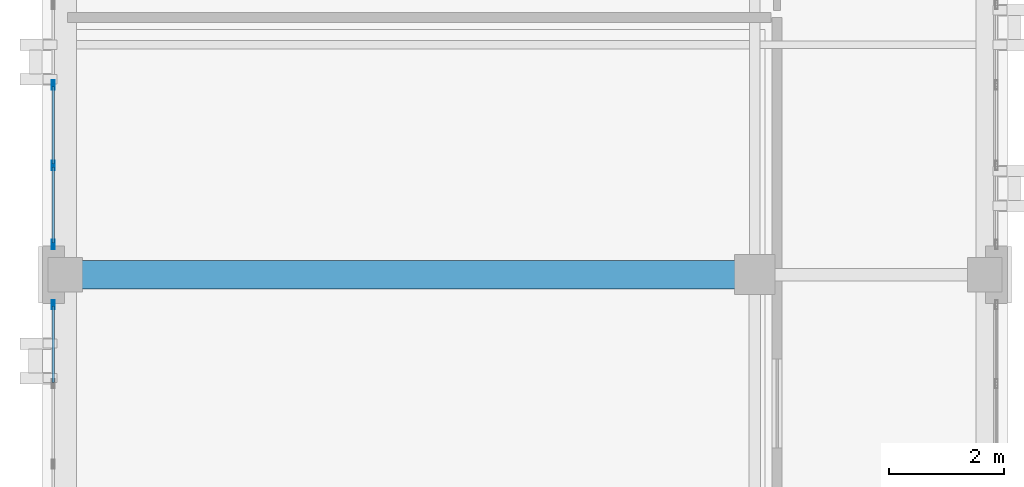
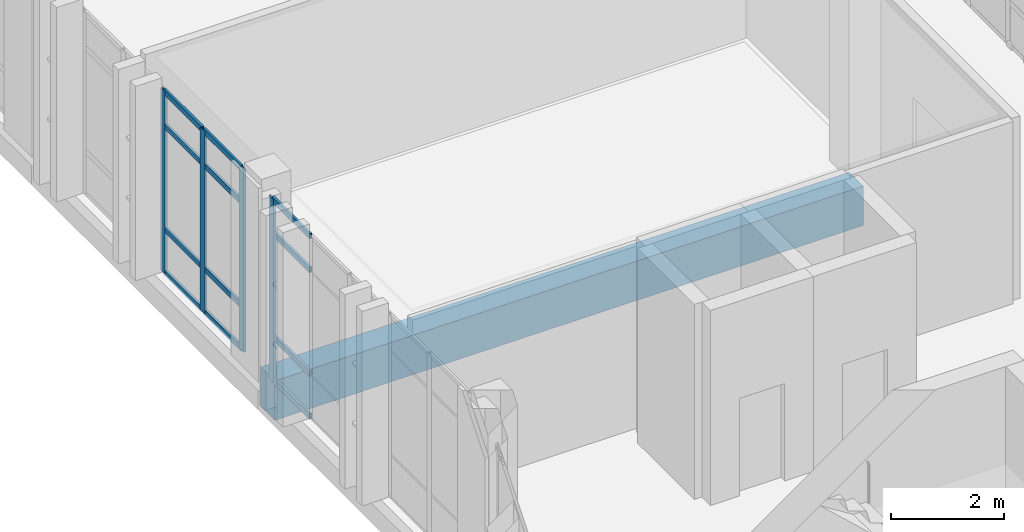
# One storey, part 9 of 90: 16 members, 1 beam, 2 elements without a shape of their own.
"""IFC4 building model written with IfcOpenShell, lengths in metres."""

from ifc_helpers import new_model, si_unit, direction, frame, origin, origin_2d, place, context, subcontext, project, spatial, rectangle, hollow_rectangle, extrude, material, layer, layer_set, material_profile, profile_set, type_object, element, aggregate, save


model = new_model("IFC4")

# Units and contexts
model_context = context("Model", 3, precision=1e-05, world=origin(), true_north=direction((0.0, 1.0)))
body_context = subcontext(model_context, "Body", "Model", "MODEL_VIEW")
ifc_project = project(units=[si_unit("LENGTHUNIT", "METRE"), si_unit("AREAUNIT", "SQUARE_METRE"), si_unit("VOLUMEUNIT", "CUBIC_METRE"), si_unit("PLANEANGLEUNIT", "RADIAN"), si_unit("MASSUNIT", "GRAM", prefix="KILO")], contexts=[model_context])

# Site, building, storey
site_placement = place(None, origin())
site = spatial("IfcSite", under=ifc_project, at=site_placement, CompositionType="ELEMENT")
building_placement = place(site_placement, origin())
building = spatial("IfcBuilding", under=site, at=building_placement, Name="Qalavern Law Courts", CompositionType="ELEMENT")
storey_placement = place(building_placement, frame((0.0, 0.0, 22.800048828125)))
storey = spatial("IfcBuildingStorey", under=building, at=storey_placement, Name="L05", CompositionType="ELEMENT", Elevation=22.800048828125)

# Curtain wall, members
ifc_material_1 = material(Name="Anodised aluminium and insulated glazing", Category="aluminium")
ifc_layer = layer(ifc_material_1, 0.159912109375)
ifc_layer_set = layer_set([ifc_layer], Name="Anodised aluminium and insulated glazing")
curtain_wall_type = type_object("IfcCurtainWallType", Name="ENV-CW-CHAMB", PredefinedType="USERDEFINED", material=ifc_layer_set)
curtain_wall_1_placement = place(storey_placement, origin())
curtain_wall_1 = element("IfcCurtainWall", 1, at=curtain_wall_1_placement, inside=storey, type_object=curtain_wall_type, Name="V3 unitised curtain wall L05 west 5", ObjectType="UNITISED CURTAIN WALL", PredefinedType="USERDEFINED")
ifc_material_2 = material(Name="Anodised aluminium", Category="aluminium")
ifc_material_profile_1 = material_profile(ifc_material_2, hollow_rectangle(XDim=0.048095703125, YDim=0.159912109375, WallThickness=0.00390625, at=origin_2d()), Name="ALU MULLION 48x160")
ifc_profile_set_1 = profile_set([ifc_material_profile_1], Name="Anodised aluminium")
member_type_1 = type_object("IfcMemberType", Name="ENV-CWM-48x160", PredefinedType="MULLION", material=ifc_profile_set_1)
member_1_placement = place(storey_placement, frame((2.1923828125, 60.699951171875, 0.0), z_axis=(0.0, 0.0, 1.0), x_axis=(1.0, 0.0, 0.0)))
member_1 = element("IfcMember", 2, at=member_1_placement, type_object=member_type_1, Name="CW-04 mullion 4", PredefinedType="MULLION", context=body_context, shape_type="SweptSolid", body=[
    extrude(hollow_rectangle(XDim=0.048095703125, YDim=0.159912109375, WallThickness=0.00390625, at=origin_2d()), origin(), (0.0, 0.0, 1.0), 3.929931640625),
])
member_2_placement = place(storey_placement, frame((2.1923828125, 59.300048828125, 0.0), z_axis=(0.0, 0.0, 1.0), x_axis=(1.0, 0.0, 0.0)))
member_2 = element("IfcMember", 3, at=member_2_placement, type_object=member_type_1, Name="CW-04 mullion 5", PredefinedType="MULLION", context=body_context, shape_type="SweptSolid", body=[
    extrude(hollow_rectangle(XDim=0.048095703125, YDim=0.159912109375, WallThickness=0.00390625, at=origin_2d()), origin(), (0.0, 0.0, 1.0), 3.929931640625),
])
member_3_placement = place(storey_placement, frame((2.1923828125, 57.924072265625, 0.0), z_axis=(0.0, 0.0, 1.0), x_axis=(1.0, 0.0, 0.0)))
member_3 = element("IfcMember", 4, at=member_3_placement, type_object=member_type_1, Name="CW-04 mullion 6", PredefinedType="MULLION", context=body_context, shape_type="SweptSolid", body=[
    extrude(hollow_rectangle(XDim=0.048095703125, YDim=0.159912109375, WallThickness=0.00390625, at=origin_2d()), origin(), (0.0, 0.0, 1.0), 3.929931640625),
])

# Curtain wall, member
curtain_wall_2_placement = place(storey_placement, origin())
curtain_wall_2 = element("IfcCurtainWall", 5, at=curtain_wall_2_placement, inside=storey, type_object=curtain_wall_type, Name="V3 unitised curtain wall L05 west 6", ObjectType="UNITISED CURTAIN WALL", PredefinedType="USERDEFINED")
member_4_placement = place(storey_placement, frame((2.1923828125, 56.8759765625, 0.0), z_axis=(0.0, 0.0, 1.0), x_axis=(1.0, 0.0, 0.0)))
member_4 = element("IfcMember", 6, at=member_4_placement, type_object=member_type_1, Name="CW-04 mullion 1", PredefinedType="MULLION", context=body_context, shape_type="SweptSolid", body=[
    extrude(hollow_rectangle(XDim=0.048095703125, YDim=0.159912109375, WallThickness=0.00390625, at=origin_2d()), origin(), (0.0, 0.0, 1.0), 3.929931640625),
])

# Member
ifc_material_profile_2 = material_profile(ifc_material_2, hollow_rectangle(XDim=0.048095703125, YDim=0.1201171875, WallThickness=0.00390625, at=origin_2d()), Name="ALU TRANSOM 48x120")
ifc_profile_set_2 = profile_set([ifc_material_profile_2], Name="Anodised aluminium")
member_type_2 = type_object("IfcMemberType", Name="ENV-CWT-48x120", PredefinedType="USERDEFINED", material=ifc_profile_set_2)
member_5_placement = place(storey_placement, frame((2.1923828125, 60.676025390625, 0.02392578125), z_axis=(0.0, -1.0, 0.0), x_axis=(1.0, 0.0, 0.0)))
member_5 = element("IfcMember", 7, at=member_5_placement, type_object=member_type_2, Name="CW-04 transom 4.1", ObjectType="TRANSOM", PredefinedType="USERDEFINED", context=body_context, shape_type="SweptSolid", body=[
    extrude(hollow_rectangle(XDim=0.048095703125, YDim=0.1201171875, WallThickness=0.00390625, at=origin_2d()), origin(), (0.0, 0.0, 1.0), 1.35205078125),
])

member_6_placement = place(storey_placement, frame((2.1923828125, 60.676025390625, 0.949951171875), z_axis=(0.0, -1.0, 0.0), x_axis=(1.0, 0.0, 0.0)))
member_6 = element("IfcMember", 8, at=member_6_placement, type_object=member_type_2, Name="CW-04 transom 4.2", ObjectType="TRANSOM", PredefinedType="USERDEFINED", context=body_context, shape_type="SweptSolid", body=[
    extrude(hollow_rectangle(XDim=0.048095703125, YDim=0.1201171875, WallThickness=0.00390625, at=origin_2d()), origin(), (0.0, 0.0, 1.0), 1.35205078125),
])

member_7_placement = place(storey_placement, frame((2.1923828125, 60.676025390625, 3.179931640625), z_axis=(0.0, -1.0, 0.0), x_axis=(1.0, 0.0, 0.0)))
member_7 = element("IfcMember", 9, at=member_7_placement, type_object=member_type_2, Name="CW-04 transom 4.3", ObjectType="TRANSOM", PredefinedType="USERDEFINED", context=body_context, shape_type="SweptSolid", body=[
    extrude(hollow_rectangle(XDim=0.048095703125, YDim=0.1201171875, WallThickness=0.00390625, at=origin_2d()), origin(), (0.0, 0.0, 1.0), 1.35205078125),
])

member_8_placement = place(storey_placement, frame((2.1923828125, 60.676025390625, 3.906005859375), z_axis=(0.0, -1.0, 0.0), x_axis=(1.0, 0.0, 0.0)))
member_8 = element("IfcMember", 10, at=member_8_placement, type_object=member_type_2, Name="CW-04 transom 4.4", ObjectType="TRANSOM", PredefinedType="USERDEFINED", context=body_context, shape_type="SweptSolid", body=[
    extrude(hollow_rectangle(XDim=0.048095703125, YDim=0.1201171875, WallThickness=0.00390625, at=origin_2d()), origin(), (0.0, 0.0, 1.0), 1.35205078125),
])

member_9_placement = place(storey_placement, frame((2.1923828125, 59.27587890625, 0.02392578125), z_axis=(0.0, -1.0, 0.0), x_axis=(1.0, 0.0, 0.0)))
member_9 = element("IfcMember", 11, at=member_9_placement, type_object=member_type_2, Name="CW-04 transom 5.1", ObjectType="TRANSOM", PredefinedType="USERDEFINED", context=body_context, shape_type="SweptSolid", body=[
    extrude(hollow_rectangle(XDim=0.048095703125, YDim=0.1201171875, WallThickness=0.00390625, at=origin_2d()), origin(), (0.0, 0.0, 1.0), 1.327880859375),
])

member_10_placement = place(storey_placement, frame((2.1923828125, 59.27587890625, 0.949951171875), z_axis=(0.0, -1.0, 0.0), x_axis=(1.0, 0.0, 0.0)))
member_10 = element("IfcMember", 12, at=member_10_placement, type_object=member_type_2, Name="CW-04 transom 5.2", ObjectType="TRANSOM", PredefinedType="USERDEFINED", context=body_context, shape_type="SweptSolid", body=[
    extrude(hollow_rectangle(XDim=0.048095703125, YDim=0.1201171875, WallThickness=0.00390625, at=origin_2d()), origin(), (0.0, 0.0, 1.0), 1.327880859375),
])

member_11_placement = place(storey_placement, frame((2.1923828125, 59.27587890625, 3.179931640625), z_axis=(0.0, -1.0, 0.0), x_axis=(1.0, 0.0, 0.0)))
member_11 = element("IfcMember", 13, at=member_11_placement, type_object=member_type_2, Name="CW-04 transom 5.3", ObjectType="TRANSOM", PredefinedType="USERDEFINED", context=body_context, shape_type="SweptSolid", body=[
    extrude(hollow_rectangle(XDim=0.048095703125, YDim=0.1201171875, WallThickness=0.00390625, at=origin_2d()), origin(), (0.0, 0.0, 1.0), 1.327880859375),
])

member_12_placement = place(storey_placement, frame((2.1923828125, 59.27587890625, 3.906005859375), z_axis=(0.0, -1.0, 0.0), x_axis=(1.0, 0.0, 0.0)))
member_12 = element("IfcMember", 14, at=member_12_placement, type_object=member_type_2, Name="CW-04 transom 5.4", ObjectType="TRANSOM", PredefinedType="USERDEFINED", context=body_context, shape_type="SweptSolid", body=[
    extrude(hollow_rectangle(XDim=0.048095703125, YDim=0.1201171875, WallThickness=0.00390625, at=origin_2d()), origin(), (0.0, 0.0, 1.0), 1.327880859375),
])

aggregate(curtain_wall_1, [member_1, member_2, member_3, member_5, member_6, member_7, member_8, member_9, member_10, member_11, member_12])

member_13_placement = place(storey_placement, frame((2.1923828125, 56.85205078125, 0.02392578125), z_axis=(0.0, -1.0, 0.0), x_axis=(1.0, 0.0, 0.0)))
member_13 = element("IfcMember", 15, at=member_13_placement, type_object=member_type_2, Name="CW-04 transom 1.1", ObjectType="TRANSOM", PredefinedType="USERDEFINED", context=body_context, shape_type="SweptSolid", body=[
    extrude(hollow_rectangle(XDim=0.048095703125, YDim=0.1201171875, WallThickness=0.00390625, at=origin_2d()), origin(), (0.0, 0.0, 1.0), 1.328125),
])

member_14_placement = place(storey_placement, frame((2.1923828125, 56.85205078125, 0.949951171875), z_axis=(0.0, -1.0, 0.0), x_axis=(1.0, 0.0, 0.0)))
member_14 = element("IfcMember", 16, at=member_14_placement, type_object=member_type_2, Name="CW-04 transom 1.2", ObjectType="TRANSOM", PredefinedType="USERDEFINED", context=body_context, shape_type="SweptSolid", body=[
    extrude(hollow_rectangle(XDim=0.048095703125, YDim=0.1201171875, WallThickness=0.00390625, at=origin_2d()), origin(), (0.0, 0.0, 1.0), 1.328125),
])

member_15_placement = place(storey_placement, frame((2.1923828125, 56.85205078125, 3.179931640625), z_axis=(0.0, -1.0, 0.0), x_axis=(1.0, 0.0, 0.0)))
member_15 = element("IfcMember", 17, at=member_15_placement, type_object=member_type_2, Name="CW-04 transom 1.3", ObjectType="TRANSOM", PredefinedType="USERDEFINED", context=body_context, shape_type="SweptSolid", body=[
    extrude(hollow_rectangle(XDim=0.048095703125, YDim=0.1201171875, WallThickness=0.00390625, at=origin_2d()), origin(), (0.0, 0.0, 1.0), 1.328125),
])

member_16_placement = place(storey_placement, frame((2.1923828125, 56.85205078125, 3.906005859375), z_axis=(0.0, -1.0, 0.0), x_axis=(1.0, 0.0, 0.0)))
member_16 = element("IfcMember", 18, at=member_16_placement, type_object=member_type_2, Name="CW-04 transom 1.4", ObjectType="TRANSOM", PredefinedType="USERDEFINED", context=body_context, shape_type="SweptSolid", body=[
    extrude(hollow_rectangle(XDim=0.048095703125, YDim=0.1201171875, WallThickness=0.00390625, at=origin_2d()), origin(), (0.0, 0.0, 1.0), 1.328125),
])

aggregate(curtain_wall_2, [member_4, member_13, member_14, member_15, member_16])

# Beam
ifc_material_3 = material(Name="Concrete C40/50", Category="concrete")
ifc_material_profile_3 = material_profile(ifc_material_3, rectangle(XDim=0.5, YDim=0.85009765625, at=origin_2d()), Name="RC 500x850")
ifc_profile_set_3 = profile_set([ifc_material_profile_3], Name="Concrete C40/50")
beam_type = type_object("IfcBeamType", Name="STR-BM-RC500x850", PredefinedType="BEAM", material=ifc_profile_set_3)
beam_placement = place(storey_placement, frame((2.39990234375, 57.39990234375, -0.699951171875), z_axis=(1.0, 0.0, 0.0), x_axis=(0.0, 1.0, 0.0)))
element("IfcBeam", 19, at=beam_placement, inside=storey, type_object=beam_type, Name="V3 X-beam 3-1 L05", PredefinedType="BEAM", context=body_context, shape_type="SweptSolid", body=[
    extrude(rectangle(XDim=0.5, YDim=0.85009765625, at=origin_2d()), origin(), (0.0, 0.0, 1.0), 12.0),
])

save(model, "model.ifc")
